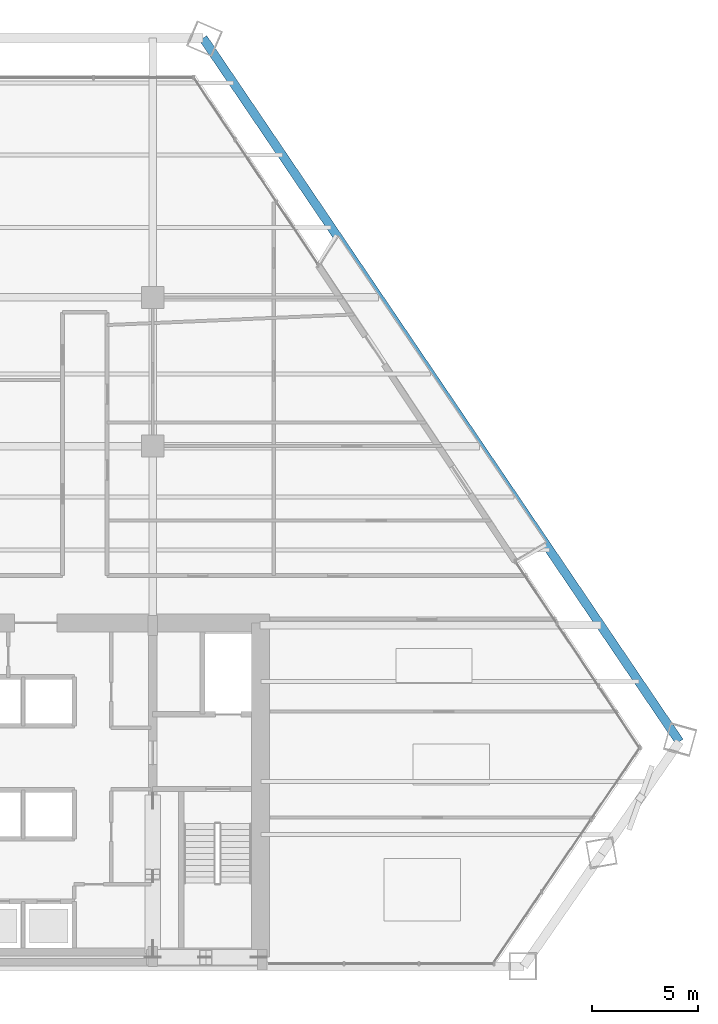
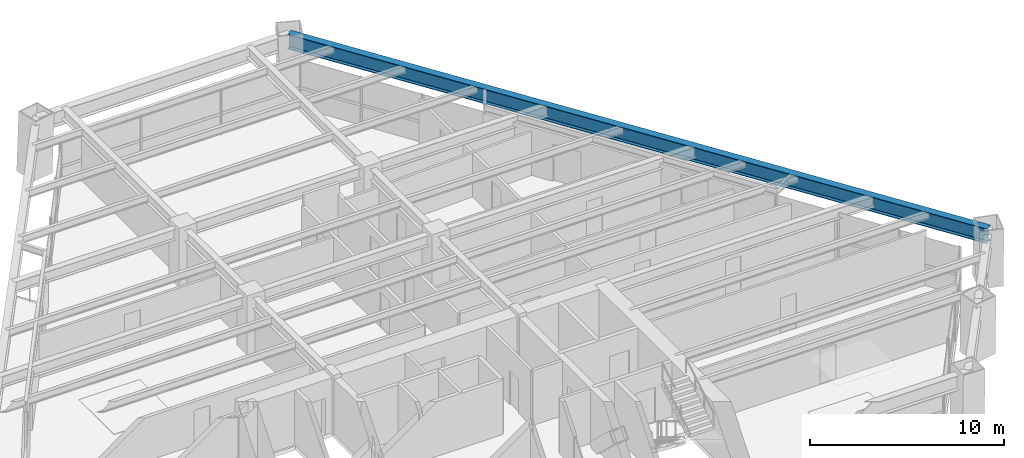
# One storey, part 7 of 15: 1 beam.
"""IFC4 building model written with IfcOpenShell, lengths in metres."""

from ifc_helpers import new_model, si_unit, direction, frame, origin, origin_2d, place, context, subcontext, project, spatial, i_section, extrude, source, transform, mapped, material, material_profile, profile_set, type_object, element, save


model = new_model("IFC4")

# Units and contexts
model_context = context("Model", 3, precision=1e-05, world=origin(), true_north=direction((0.0, 1.0)))
body_context = subcontext(model_context, "Body", "Model", "MODEL_VIEW")
ifc_project = project(units=[si_unit("LENGTHUNIT", "METRE"), si_unit("AREAUNIT", "SQUARE_METRE"), si_unit("VOLUMEUNIT", "CUBIC_METRE"), si_unit("PLANEANGLEUNIT", "RADIAN"), si_unit("MASSUNIT", "GRAM", prefix="KILO")], contexts=[model_context])

# Site, building, storey
site_placement = place(None, origin())
site = spatial("IfcSite", under=ifc_project, at=site_placement, CompositionType="ELEMENT")
building_placement = place(site_placement, origin())
building = spatial("IfcBuilding", under=site, at=building_placement, Name="Varnakhor Terracotta Tower", CompositionType="ELEMENT")
storey_placement = place(building_placement, frame((0.0, 0.0, 57.10009765625)))
storey = spatial("IfcBuildingStorey", under=building, at=storey_placement, Name="L13", CompositionType="ELEMENT", Elevation=57.10009765625)

# Beam
ifc_material = material(Name="Steel S355", Category="steel")
ifc_material_profile = material_profile(ifc_material, i_section(OverallWidth=0.41796875, OverallDepth=0.927001953125, WebThickness=0.01904296875, FlangeThickness=0.031982421875, FilletRadius=0.01806640625, at=origin_2d()), Name="W36X231")
ifc_profile_set = profile_set([ifc_material_profile], Name="Steel S355")
beam_type = type_object("IfcBeamType", Name="BM-W36X231", PredefinedType="BEAM", material=ifc_profile_set)
shared_shape = source(origin(), body_context, "Body", "SweptSolid", [
    extrude(i_section(OverallWidth=0.41796875, OverallDepth=0.927001953125, WebThickness=0.01904296875, FlangeThickness=0.031982421875, FilletRadius=0.01806640625, at=origin_2d()), origin(), (0.0, 0.0, 1.0), 40.01904296875),
])
beam_placement = place(storey_placement, frame((30.309814453125, 10.573974609375, 2.986328125), z_axis=(-0.560632703732, 0.828064593801, 0.0), x_axis=(-0.828064593801, -0.560632703732, 0.0)))
element("IfcBeam", 1, at=beam_placement, inside=storey, type_object=beam_type, Name="L13 Perimeter Spandrel 4", PredefinedType="BEAM", context=body_context, shape_type="MappedRepresentation", body=[
    mapped(shared_shape, transform((0.0, 0.0, 0.0), scale=1.0)),
])

save(model, "model.ifc")
